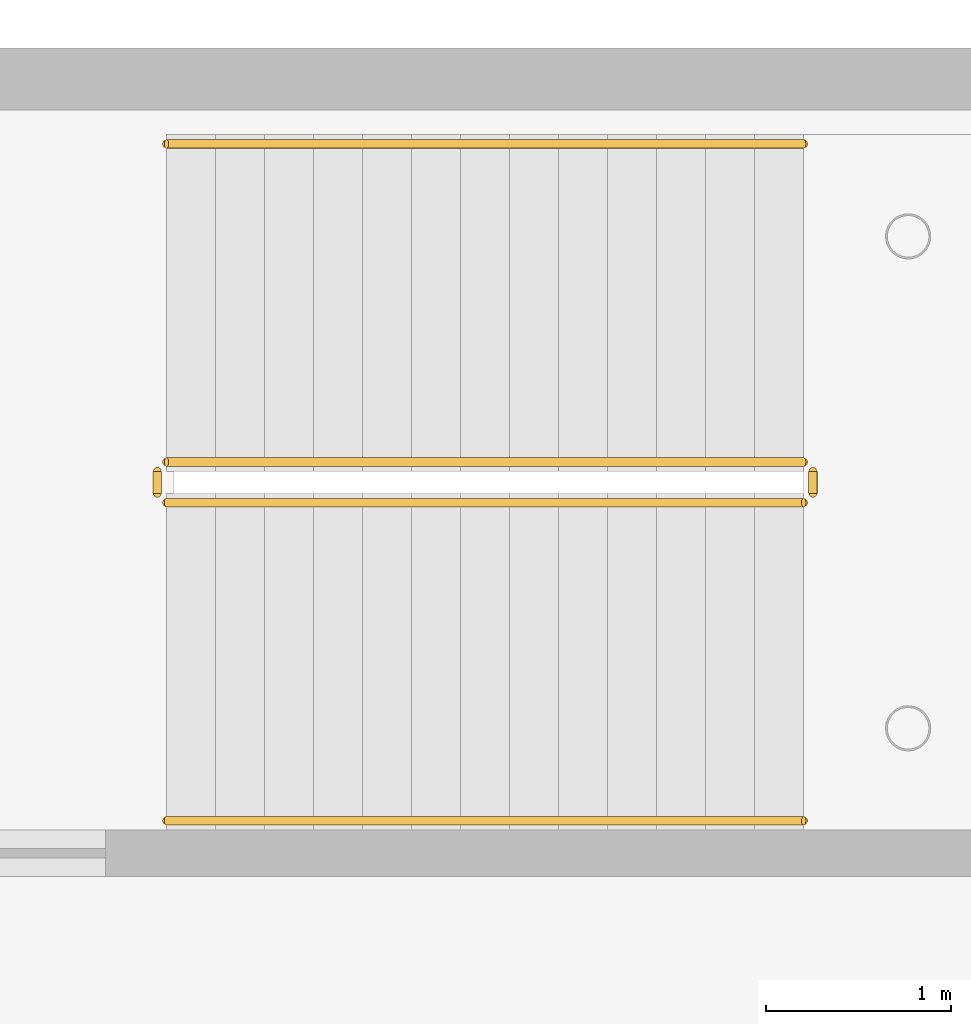
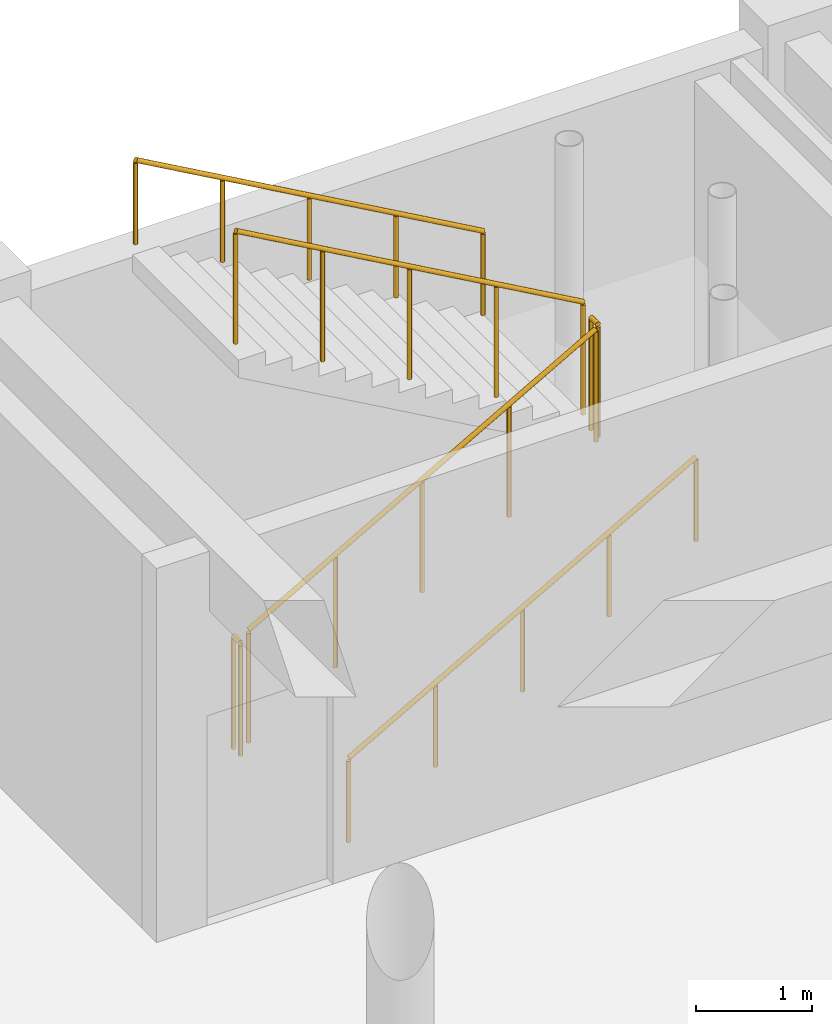
# One storey, part 53 of 53: 6 railings.
"""IFC4 building model written with IfcOpenShell, lengths in metres."""

from ifc_helpers import new_model, si_unit, direction, frame, origin, origin_2d, place, context, subcontext, project, spatial, circle, extrude, material, type_object, element, save


model = new_model("IFC4")

# Units and contexts
model_context = context("Model", 3, precision=1e-05, world=origin(), true_north=direction((0.0, 1.0)))
body_context = subcontext(model_context, "Body", "Model", "MODEL_VIEW")
ifc_project = project(units=[si_unit("LENGTHUNIT", "METRE"), si_unit("AREAUNIT", "SQUARE_METRE"), si_unit("VOLUMEUNIT", "CUBIC_METRE"), si_unit("PLANEANGLEUNIT", "RADIAN"), si_unit("MASSUNIT", "GRAM", prefix="KILO")], contexts=[model_context])

# Site, building, storey
site_placement = place(None, origin())
site = spatial("IfcSite", under=ifc_project, at=site_placement, CompositionType="ELEMENT")
building_placement = place(site_placement, origin())
building = spatial("IfcBuilding", under=site, at=building_placement, Name="Kharva Crest Polytechnic", CompositionType="ELEMENT")
storey_placement = place(building_placement, frame((0.0, 0.0, 17.39990234375)))
storey = spatial("IfcBuildingStorey", under=building, at=storey_placement, Name="L04", CompositionType="ELEMENT", Elevation=17.39990234375)

# Railings
ifc_material_1 = material(Name="Anodised aluminium", Category="aluminium")
railing_type_1 = type_object("IfcRailingType", Name="RL-STAIR-GUARD-1200", PredefinedType="GUARDRAIL", material=ifc_material_1)
railing_1_placement = place(storey_placement, frame((146.1298828125, 119.7099609375, 0.150146484375)))
element("IfcRailing", 1, at=railing_1_placement, inside=storey, type_object=railing_type_1, Name="L04 ST-09 stair guard 1", PredefinedType="GUARDRAIL", context=body_context, shape_type="SweptSolid", body=[
    extrude(circle(Radius=0.02392578125, at=origin_2d()), frame((0.0, 0.0, 1.17578125), z_axis=(0.870266332817, 0.0, 0.492581475459), x_axis=(0.0, 1.0, 0.0)), (0.0, 0.0, 1.0), 3.958740234375),
    extrude(circle(Radius=0.02099609375, at=origin_2d()), origin(), (0.0, 0.0, 1.0), 1.15185546875),
    extrude(circle(Radius=0.02099609375, at=origin_2d()), frame((0.861328125, 0.0, 0.487548828125)), (0.0, 0.0, 1.0), 1.15185546875),
    extrude(circle(Radius=0.02099609375, at=origin_2d()), frame((1.72265625, 0.0, 0.97509765625)), (0.0, 0.0, 1.0), 1.15185546875),
    extrude(circle(Radius=0.02099609375, at=origin_2d()), frame((2.583740234375, 0.0, 1.46240234375)), (0.0, 0.0, 1.0), 1.15185546875),
    extrude(circle(Radius=0.02099609375, at=origin_2d()), frame((3.445068359375, 0.0, 1.949951171875)), (0.0, 0.0, 1.0), 1.15185546875),
])
railing_2_placement = place(storey_placement, frame((149.625, 119.760009765625, 2.10009765625)))
element("IfcRailing", 2, at=railing_2_placement, inside=storey, type_object=railing_type_1, Name="L04 ST-09 stair guard 2", PredefinedType="GUARDRAIL", context=body_context, shape_type="SweptSolid", body=[
    extrude(circle(Radius=0.02392578125, at=origin_2d()), frame((0.0, 0.0, 1.17578125), z_axis=(0.0, 1.0, 0.0), x_axis=(-1.0, 0.0, 0.0)), (0.0, 0.0, 1.0), 0.119873046875),
    extrude(circle(Radius=0.02099609375, at=origin_2d()), origin(), (0.0, 0.0, 1.0), 1.15185546875),
    extrude(circle(Radius=0.02099609375, at=origin_2d()), frame((0.0, 0.119873046875, 0.0)), (0.0, 0.0, 1.0), 1.15185546875),
])
railing_3_placement = place(storey_placement, frame((149.574951171875, 119.929931640625, 2.25)))
element("IfcRailing", 3, at=railing_3_placement, inside=storey, type_object=railing_type_1, Name="L04 ST-09 stair guard 3", PredefinedType="GUARDRAIL", context=body_context, shape_type="SweptSolid", body=[
    extrude(circle(Radius=0.02392578125, at=origin_2d()), frame((0.0, 0.0, 1.17578125), z_axis=(-0.870239894607, 0.0, 0.492628182136), x_axis=(0.0, -1.0, 0.0)), (0.0, 0.0, 1.0), 3.958740234375),
    extrude(circle(Radius=0.02099609375, at=origin_2d()), origin(), (0.0, 0.0, 1.0), 1.15185546875),
    extrude(circle(Radius=0.02099609375, at=origin_2d()), frame((-0.861328125, 0.0, 0.487548828125)), (0.0, 0.0, 1.0), 1.15185546875),
    extrude(circle(Radius=0.02099609375, at=origin_2d()), frame((-1.72265625, 0.0, 0.97509765625)), (0.0, 0.0, 1.0), 1.15185546875),
    extrude(circle(Radius=0.02099609375, at=origin_2d()), frame((-2.583740234375, 0.0, 1.462646484375)), (0.0, 0.0, 1.0), 1.15185546875),
    extrude(circle(Radius=0.02099609375, at=origin_2d()), frame((-3.445068359375, 0.0, 1.9501953125)), (0.0, 0.0, 1.0), 1.15185546875),
])
railing_4_placement = place(storey_placement, frame((146.080078125, 119.760009765625, 0.0)))
element("IfcRailing", 4, at=railing_4_placement, inside=storey, type_object=railing_type_1, Name="L04 ST-09 stair guard 4", PredefinedType="GUARDRAIL", context=body_context, shape_type="SweptSolid", body=[
    extrude(circle(Radius=0.02392578125, at=origin_2d()), frame((0.0, 0.0, 1.17578125), z_axis=(0.0, 1.0, 0.0), x_axis=(-1.0, 0.0, 0.0)), (0.0, 0.0, 1.0), 0.119873046875),
    extrude(circle(Radius=0.02099609375, at=origin_2d()), origin(), (0.0, 0.0, 1.0), 1.15185546875),
    extrude(circle(Radius=0.02099609375, at=origin_2d()), frame((0.0, 0.119873046875, 0.0)), (0.0, 0.0, 1.0), 1.15185546875),
])
ifc_material_2 = material(Name="Teak timber", Category="wood")
railing_type_2 = type_object("IfcRailingType", Name="RL-STAIR-HAND-900", PredefinedType="HANDRAIL", material=ifc_material_2)
railing_5_placement = place(storey_placement, frame((146.1298828125, 117.989990234375, 0.150146484375)))
element("IfcRailing", 5, at=railing_5_placement, inside=storey, type_object=railing_type_2, Name="L04 ST-09 stair handrail 1", PredefinedType="HANDRAIL", context=body_context, shape_type="SweptSolid", body=[
    extrude(circle(Radius=0.02392578125, at=origin_2d()), frame((0.0, 0.0, 0.8759765625), z_axis=(0.870266332817, 0.0, 0.492581475459), x_axis=(0.0, 1.0, 0.0)), (0.0, 0.0, 1.0), 3.958740234375),
    extrude(circle(Radius=0.02099609375, at=origin_2d()), origin(), (0.0, 0.0, 1.0), 0.851806640625),
    extrude(circle(Radius=0.02099609375, at=origin_2d()), frame((0.861328125, 0.0, 0.487548828125)), (0.0, 0.0, 1.0), 0.851806640625),
    extrude(circle(Radius=0.02099609375, at=origin_2d()), frame((1.72265625, 0.0, 0.97509765625)), (0.0, 0.0, 1.0), 0.851806640625),
    extrude(circle(Radius=0.02099609375, at=origin_2d()), frame((2.583740234375, 0.0, 1.46240234375)), (0.0, 0.0, 1.0), 0.851806640625),
    extrude(circle(Radius=0.02099609375, at=origin_2d()), frame((3.445068359375, 0.0, 1.949951171875)), (0.0, 0.0, 1.0), 0.851806640625),
])
railing_6_placement = place(storey_placement, frame((149.574951171875, 121.64990234375, 2.25)))
element("IfcRailing", 6, at=railing_6_placement, inside=storey, type_object=railing_type_2, Name="L04 ST-09 stair handrail 2", PredefinedType="HANDRAIL", context=body_context, shape_type="SweptSolid", body=[
    extrude(circle(Radius=0.02392578125, at=origin_2d()), frame((0.0, 0.0, 0.8759765625), z_axis=(-0.870239894607, 0.0, 0.492628182136), x_axis=(0.0, -1.0, 0.0)), (0.0, 0.0, 1.0), 3.958740234375),
    extrude(circle(Radius=0.02099609375, at=origin_2d()), origin(), (0.0, 0.0, 1.0), 0.851806640625),
    extrude(circle(Radius=0.02099609375, at=origin_2d()), frame((-0.861328125, 0.0, 0.487548828125)), (0.0, 0.0, 1.0), 0.851806640625),
    extrude(circle(Radius=0.02099609375, at=origin_2d()), frame((-1.72265625, 0.0, 0.97509765625)), (0.0, 0.0, 1.0), 0.851806640625),
    extrude(circle(Radius=0.02099609375, at=origin_2d()), frame((-2.583740234375, 0.0, 1.462646484375)), (0.0, 0.0, 1.0), 0.851806640625),
    extrude(circle(Radius=0.02099609375, at=origin_2d()), frame((-3.445068359375, 0.0, 1.9501953125)), (0.0, 0.0, 1.0), 0.851806640625),
])

save(model, "model.ifc")
